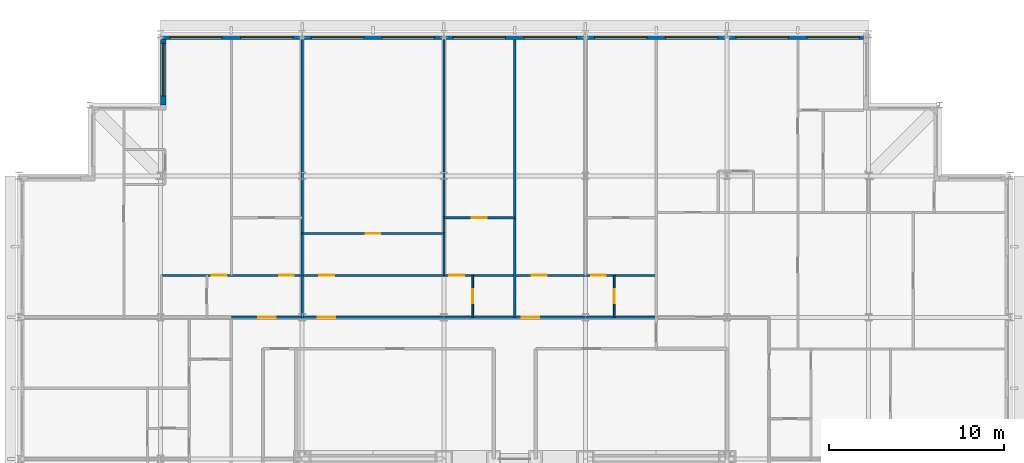
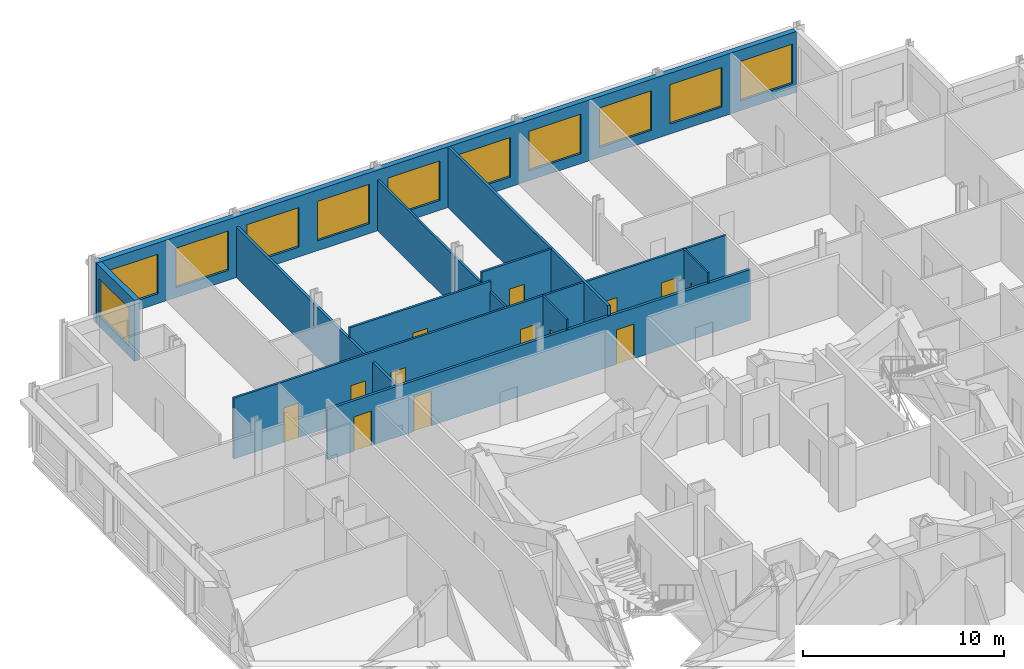
# One storey, part 12 of 15: 13 doors, 11 walls, 11 windows, 24 openings.
"""IFC4 building model written with IfcOpenShell, lengths in metres."""

from ifc_helpers import new_model, si_unit, direction, frame, frame_2d, origin, place, context, subcontext, project, spatial, rectangle, extrude, material, layer, layer_set, type_object, element, fill, save


model = new_model("IFC4")

# Units and contexts
model_context = context("Model", 3, precision=1e-05, world=origin(), true_north=direction((0.0, 1.0)))
body_context = subcontext(model_context, "Body", "Model", "MODEL_VIEW")
ifc_project = project(units=[si_unit("LENGTHUNIT", "METRE"), si_unit("AREAUNIT", "SQUARE_METRE"), si_unit("VOLUMEUNIT", "CUBIC_METRE"), si_unit("PLANEANGLEUNIT", "RADIAN"), si_unit("MASSUNIT", "GRAM", prefix="KILO")], contexts=[model_context])

# Site, building, storey
site_placement = place(None, origin())
site = spatial("IfcSite", under=ifc_project, at=site_placement, CompositionType="ELEMENT")
building_placement = place(site_placement, origin())
building = spatial("IfcBuilding", under=site, at=building_placement, Name="Kopane Lantern Tower", CompositionType="ELEMENT")
storey_placement = place(building_placement, frame((0.0, 0.0, 289.199951171875)))
storey = spatial("IfcBuildingStorey", under=building, at=storey_placement, Name="L74", CompositionType="ELEMENT", Elevation=289.199951171875)

# Wall
ifc_material_1 = material(Name="Gypsum board on steel studs", Category="steel")
ifc_layer_1 = layer(ifc_material_1, 0.1201171875)
ifc_layer_set_1 = layer_set([ifc_layer_1], Name="APARTMENT INTERNAL WALL 120")
wall_type_1 = type_object("IfcWallType", Name="APARTMENT INTERNAL WALL 120", PredefinedType="PARTITIONING", material=ifc_layer_set_1)
wall_1_placement = place(storey_placement, frame((24.300048828125, 51.0, 0.0), z_axis=(0.0, 0.0, 1.0), x_axis=(0.0, 1.0, 0.0)))
element("IfcWall", 1, at=wall_1_placement, inside=storey, type_object=wall_type_1, Name="Apartment Internal Wall 120 L74", PredefinedType="PARTITIONING", context=body_context, shape_type="SweptSolid", body=[
    extrude(rectangle(XDim=13.5, YDim=0.1201171875, at=frame_2d((6.75, 0.0))), origin(), (0.0, 0.0, 1.0), 3.077880859375),
])

# Wall, openings, doors
wall_2_placement = place(storey_placement, frame((8.14990234375, 51.0, 0.0), z_axis=(0.0, 0.0, 1.0), x_axis=(1.0, 0.0, 0.0)))
wall_2 = element("IfcWall", 2, at=wall_2_placement, inside=storey, type_object=wall_type_1, Name="Apartment Internal Wall 120 L74", PredefinedType="PARTITIONING", context=body_context, shape_type="SweptSolid", body=[
    extrude(rectangle(XDim=28.300048828125, YDim=0.1201171875, at=frame_2d((14.14990234375, 0.0))), origin(), (0.0, 0.0, 1.0), 3.68994140625),
])
opening_1_placement = place(wall_2_placement, frame((9.02490234375, 0.0, 0.0)))
opening_1 = element("IfcOpeningElement", 3, at=opening_1_placement, cuts=wall_2, Name="Opening L74-015", PredefinedType="OPENING", context=body_context, shape_type="SweptSolid", body=[
    extrude(rectangle(XDim=0.85009765625, YDim=2.10009765625, at=frame_2d((0.425048828125, 1.050048828125))), frame((0.0, 0.070068359375, 0.0), z_axis=(0.0, -1.0, 0.0), x_axis=(1.0, 0.0, 0.0)), (0.0, 0.0, 1.0), 0.14013671875),
])
opening_2_placement = place(wall_2_placement, frame((16.47509765625, 0.0, 0.0)))
opening_2 = element("IfcOpeningElement", 4, at=opening_2_placement, cuts=wall_2, Name="Opening L74-016", PredefinedType="OPENING", context=body_context, shape_type="SweptSolid", body=[
    extrude(rectangle(XDim=0.85009765625, YDim=2.10009765625, at=frame_2d((0.425048828125, 1.050048828125))), frame((0.0, 0.070068359375, 0.0), z_axis=(0.0, -1.0, 0.0), x_axis=(1.0, 0.0, 0.0)), (0.0, 0.0, 1.0), 0.14013671875),
])
opening_3_placement = place(wall_2_placement, frame((21.175048828125, 0.0, 0.0)))
opening_3 = element("IfcOpeningElement", 5, at=opening_3_placement, cuts=wall_2, Name="Opening L74-019", PredefinedType="OPENING", context=body_context, shape_type="SweptSolid", body=[
    extrude(rectangle(XDim=0.85009765625, YDim=2.10009765625, at=frame_2d((0.425048828125, 1.050048828125))), frame((0.0, 0.070068359375, 0.0), z_axis=(0.0, -1.0, 0.0), x_axis=(1.0, 0.0, 0.0)), (0.0, 0.0, 1.0), 0.14013671875),
])
opening_4_placement = place(wall_2_placement, frame((24.574951171875, 0.0, 0.0)))
opening_4 = element("IfcOpeningElement", 6, at=opening_4_placement, cuts=wall_2, Name="Opening L74-020", PredefinedType="OPENING", context=body_context, shape_type="SweptSolid", body=[
    extrude(rectangle(XDim=0.85009765625, YDim=2.10009765625, at=frame_2d((0.425048828125, 1.050048828125))), frame((0.0, 0.070068359375, 0.0), z_axis=(0.0, -1.0, 0.0), x_axis=(1.0, 0.0, 0.0)), (0.0, 0.0, 1.0), 0.14013671875),
])
opening_5_placement = place(wall_2_placement, frame((6.72509765625, 0.0, 0.0)))
opening_5 = element("IfcOpeningElement", 7, at=opening_5_placement, cuts=wall_2, Name="Opening L74-034", PredefinedType="OPENING", context=body_context, shape_type="SweptSolid", body=[
    extrude(rectangle(XDim=0.85009765625, YDim=2.10009765625, at=frame_2d((0.425048828125, 1.050048828125))), frame((0.0, 0.070068359375, 0.0), z_axis=(0.0, -1.0, 0.0), x_axis=(1.0, 0.0, 0.0)), (0.0, 0.0, 1.0), 0.14013671875),
])
opening_6_placement = place(wall_2_placement, frame((2.875, 0.0, 0.0)))
opening_6 = element("IfcOpeningElement", 8, at=opening_6_placement, cuts=wall_2, Name="Opening L74-036", PredefinedType="OPENING", context=body_context, shape_type="SweptSolid", body=[
    extrude(rectangle(XDim=0.85009765625, YDim=2.10009765625, at=frame_2d((0.425048828125, 1.050048828125))), frame((0.0, 0.070068359375, 0.0), z_axis=(0.0, -1.0, 0.0), x_axis=(1.0, 0.0, 0.0)), (0.0, 0.0, 1.0), 0.14013671875),
])
ifc_material_2 = material(Name="Timber door set", Category="wood")
door_type_1 = type_object("IfcDoorType", Name="DOOR D4 850x2100", OperationType="SINGLE_SWING_LEFT", PredefinedType="DOOR", material=ifc_material_2)
door_1_placement = place(opening_1_placement, origin())
door_1 = element("IfcDoor", 9, at=door_1_placement, inside=storey, type_object=door_type_1, Name="Door L74-015", OperationType="SINGLE_SWING_LEFT", OverallHeight=2.10009765625, OverallWidth=0.85009765625, PredefinedType="DOOR", context=body_context, shape_type="SweptSolid", body=[
    extrude(rectangle(XDim=0.85009765625, YDim=2.10009765625, at=frame_2d((0.425048828125, 1.050048828125))), frame((0.0, 0.02490234375, 0.0), z_axis=(0.0, -1.0, 0.0), x_axis=(1.0, 0.0, 0.0)), (0.0, 0.0, 1.0), 0.050048828125),
])
fill(opening_1, door_1)
door_2_placement = place(opening_2_placement, origin())
door_2 = element("IfcDoor", 10, at=door_2_placement, inside=storey, type_object=door_type_1, Name="Door L74-016", OperationType="SINGLE_SWING_LEFT", OverallHeight=2.10009765625, OverallWidth=0.85009765625, PredefinedType="DOOR", context=body_context, shape_type="SweptSolid", body=[
    extrude(rectangle(XDim=0.85009765625, YDim=2.10009765625, at=frame_2d((0.425048828125, 1.050048828125))), frame((0.0, 0.02490234375, 0.0), z_axis=(0.0, -1.0, 0.0), x_axis=(1.0, 0.0, 0.0)), (0.0, 0.0, 1.0), 0.050048828125),
])
fill(opening_2, door_2)
door_3_placement = place(opening_3_placement, origin())
door_3 = element("IfcDoor", 11, at=door_3_placement, inside=storey, type_object=door_type_1, Name="Door L74-019", OperationType="SINGLE_SWING_RIGHT", OverallHeight=2.10009765625, OverallWidth=0.85009765625, PredefinedType="DOOR", context=body_context, shape_type="SweptSolid", body=[
    extrude(rectangle(XDim=0.85009765625, YDim=2.10009765625, at=frame_2d((0.425048828125, 1.050048828125))), frame((0.0, 0.02490234375, 0.0), z_axis=(0.0, -1.0, 0.0), x_axis=(1.0, 0.0, 0.0)), (0.0, 0.0, 1.0), 0.050048828125),
])
fill(opening_3, door_3)
door_4_placement = place(opening_4_placement, origin())
door_4 = element("IfcDoor", 12, at=door_4_placement, inside=storey, type_object=door_type_1, Name="Door L74-020", OperationType="SINGLE_SWING_LEFT", OverallHeight=2.10009765625, OverallWidth=0.85009765625, PredefinedType="DOOR", context=body_context, shape_type="SweptSolid", body=[
    extrude(rectangle(XDim=0.85009765625, YDim=2.10009765625, at=frame_2d((0.425048828125, 1.050048828125))), frame((0.0, 0.02490234375, 0.0), z_axis=(0.0, -1.0, 0.0), x_axis=(1.0, 0.0, 0.0)), (0.0, 0.0, 1.0), 0.050048828125),
])
fill(opening_4, door_4)
door_5_placement = place(opening_5_placement, origin())
door_5 = element("IfcDoor", 13, at=door_5_placement, inside=storey, type_object=door_type_1, Name="Door L74-034", OperationType="SINGLE_SWING_LEFT", OverallHeight=2.10009765625, OverallWidth=0.85009765625, PredefinedType="DOOR", context=body_context, shape_type="SweptSolid", body=[
    extrude(rectangle(XDim=0.85009765625, YDim=2.10009765625, at=frame_2d((0.425048828125, 1.050048828125))), frame((0.0, 0.02490234375, 0.0), z_axis=(0.0, -1.0, 0.0), x_axis=(1.0, 0.0, 0.0)), (0.0, 0.0, 1.0), 0.050048828125),
])
fill(opening_5, door_5)
door_6_placement = place(opening_6_placement, origin())
door_6 = element("IfcDoor", 14, at=door_6_placement, inside=storey, type_object=door_type_1, Name="Door L74-036", OperationType="SINGLE_SWING_RIGHT", OverallHeight=2.10009765625, OverallWidth=0.85009765625, PredefinedType="DOOR", context=body_context, shape_type="SweptSolid", body=[
    extrude(rectangle(XDim=0.85009765625, YDim=2.10009765625, at=frame_2d((0.425048828125, 1.050048828125))), frame((0.0, 0.02490234375, 0.0), z_axis=(0.0, -1.0, 0.0), x_axis=(1.0, 0.0, 0.0)), (0.0, 0.0, 1.0), 0.050048828125),
])
fill(opening_6, door_6)

# Wall, opening, door
wall_3_placement = place(storey_placement, frame((16.199951171875, 53.39990234375, 0.0), z_axis=(0.0, 0.0, 1.0), x_axis=(1.0, 0.0, 0.0)))
wall_3 = element("IfcWall", 15, at=wall_3_placement, inside=storey, type_object=wall_type_1, Name="Apartment Internal Wall 120 L74", PredefinedType="PARTITIONING", context=body_context, shape_type="SweptSolid", body=[
    extrude(rectangle(XDim=8.10009765625, YDim=0.1201171875, at=frame_2d((4.050048828125, 0.0))), origin(), (0.0, 0.0, 1.0), 3.68994140625),
])
opening_7_placement = place(wall_3_placement, frame((3.625, 0.0, 0.0)))
opening_7 = element("IfcOpeningElement", 16, at=opening_7_placement, cuts=wall_3, Name="Opening L74-060", PredefinedType="OPENING", context=body_context, shape_type="SweptSolid", body=[
    extrude(rectangle(XDim=0.85009765625, YDim=2.10009765625, at=frame_2d((0.425048828125, 1.050048828125))), frame((0.0, 0.070068359375, 0.0), z_axis=(0.0, -1.0, 0.0), x_axis=(1.0, 0.0, 0.0)), (0.0, 0.0, 1.0), 0.14013671875),
])
door_7_placement = place(opening_7_placement, origin())
door_7 = element("IfcDoor", 17, at=door_7_placement, inside=storey, type_object=door_type_1, Name="Door L74-060", OperationType="SINGLE_SWING_RIGHT", OverallHeight=2.10009765625, OverallWidth=0.85009765625, PredefinedType="DOOR", context=body_context, shape_type="SweptSolid", body=[
    extrude(rectangle(XDim=0.85009765625, YDim=2.10009765625, at=frame_2d((0.425048828125, 1.050048828125))), frame((0.0, 0.02490234375, 0.0), z_axis=(0.0, -1.0, 0.0), x_axis=(1.0, 0.0, 0.0)), (0.0, 0.0, 1.0), 0.050048828125),
])
fill(opening_7, door_7)

wall_4_placement = place(storey_placement, frame((24.300048828125, 54.300048828125, 0.0), z_axis=(0.0, 0.0, 1.0), x_axis=(1.0, 0.0, 0.0)))
wall_4 = element("IfcWall", 18, at=wall_4_placement, inside=storey, type_object=wall_type_1, Name="Apartment Internal Wall 120 L74", PredefinedType="PARTITIONING", context=body_context, shape_type="SweptSolid", body=[
    extrude(rectangle(XDim=4.050048828125, YDim=0.1201171875, at=frame_2d((2.02490234375, 0.0))), origin(), (0.0, 0.0, 1.0), 3.68994140625),
])
opening_8_placement = place(wall_4_placement, frame((1.60009765625, 0.0, 0.0)))
opening_8 = element("IfcOpeningElement", 19, at=opening_8_placement, cuts=wall_4, Name="Opening L74-061", PredefinedType="OPENING", context=body_context, shape_type="SweptSolid", body=[
    extrude(rectangle(XDim=0.85009765625, YDim=2.10009765625, at=frame_2d((0.425048828125, 1.050048828125))), frame((0.0, 0.070068359375, 0.0), z_axis=(0.0, -1.0, 0.0), x_axis=(1.0, 0.0, 0.0)), (0.0, 0.0, 1.0), 0.14013671875),
])
door_8_placement = place(opening_8_placement, origin())
door_8 = element("IfcDoor", 20, at=door_8_placement, inside=storey, type_object=door_type_1, Name="Door L74-061", OperationType="SINGLE_SWING_RIGHT", OverallHeight=2.10009765625, OverallWidth=0.85009765625, PredefinedType="DOOR", context=body_context, shape_type="SweptSolid", body=[
    extrude(rectangle(XDim=0.85009765625, YDim=2.10009765625, at=frame_2d((0.425048828125, 1.050048828125))), frame((0.0, 0.02490234375, 0.0), z_axis=(0.0, -1.0, 0.0), x_axis=(1.0, 0.0, 0.0)), (0.0, 0.0, 1.0), 0.050048828125),
])
fill(opening_8, door_8)

ifc_material_3 = material(Name="Moisture-resistant board on steel studs", Category="steel")
ifc_layer_2 = layer(ifc_material_3, 0.10009765625)
ifc_layer_set_2 = layer_set([ifc_layer_2], Name="BATHROOM WALL 100")
wall_type_2 = type_object("IfcWallType", Name="BATHROOM WALL 100", PredefinedType="PARTITIONING", material=ifc_layer_set_2)
wall_5_placement = place(storey_placement, frame((25.949951171875, 48.60009765625, 0.0), z_axis=(0.0, 0.0, 1.0), x_axis=(0.0, 1.0, 0.0)))
wall_5 = element("IfcWall", 21, at=wall_5_placement, inside=storey, type_object=wall_type_2, Name="Bathroom Wall 100 L74", PredefinedType="PARTITIONING", context=body_context, shape_type="SweptSolid", body=[
    extrude(rectangle(XDim=2.39990234375, YDim=0.10009765625, at=frame_2d((1.199951171875, 0.0))), origin(), (0.0, 0.0, 1.0), 3.68994140625),
])
opening_9_placement = place(wall_5_placement, frame((0.800048828125, 0.0, 0.0)))
opening_9 = element("IfcOpeningElement", 22, at=opening_9_placement, cuts=wall_5, Name="Opening L74-013", PredefinedType="OPENING", context=body_context, shape_type="SweptSolid", body=[
    extrude(rectangle(XDim=0.800048828125, YDim=2.10009765625, at=frame_2d((0.39990234375, 1.050048828125))), frame((0.0, 0.06005859375, 0.0), z_axis=(0.0, -1.0, 0.0), x_axis=(1.0, 0.0, 0.0)), (0.0, 0.0, 1.0), 0.1201171875),
])
ifc_material_4 = material(Name="Timber door set", Category="wood")
door_type_2 = type_object("IfcDoorType", Name="DOOR D2 800x2100", OperationType="SINGLE_SWING_LEFT", PredefinedType="DOOR", material=ifc_material_4)
door_9_placement = place(opening_9_placement, origin())
door_9 = element("IfcDoor", 23, at=door_9_placement, inside=storey, type_object=door_type_2, Name="Door L74-013", OperationType="SINGLE_SWING_RIGHT", OverallHeight=2.10009765625, OverallWidth=0.800048828125, PredefinedType="DOOR", context=body_context, shape_type="SweptSolid", body=[
    extrude(rectangle(XDim=0.800048828125, YDim=2.10009765625, at=frame_2d((0.39990234375, 1.050048828125))), frame((0.0, 0.02490234375, 0.0), z_axis=(0.0, -1.0, 0.0), x_axis=(1.0, 0.0, 0.0)), (0.0, 0.0, 1.0), 0.050048828125),
])
fill(opening_9, door_9)

wall_6_placement = place(storey_placement, frame((34.050048828125, 48.60009765625, 0.0), z_axis=(0.0, 0.0, 1.0), x_axis=(0.0, 1.0, 0.0)))
wall_6 = element("IfcWall", 24, at=wall_6_placement, inside=storey, type_object=wall_type_2, Name="Bathroom Wall 100 L74", PredefinedType="PARTITIONING", context=body_context, shape_type="SweptSolid", body=[
    extrude(rectangle(XDim=2.39990234375, YDim=0.10009765625, at=frame_2d((1.199951171875, 0.0))), origin(), (0.0, 0.0, 1.0), 3.68994140625),
])
opening_10_placement = place(wall_6_placement, frame((0.800048828125, 0.0, 0.0)))
opening_10 = element("IfcOpeningElement", 25, at=opening_10_placement, cuts=wall_6, Name="Opening L74-017", PredefinedType="OPENING", context=body_context, shape_type="SweptSolid", body=[
    extrude(rectangle(XDim=0.800048828125, YDim=2.10009765625, at=frame_2d((0.39990234375, 1.050048828125))), frame((0.0, 0.06005859375, 0.0), z_axis=(0.0, -1.0, 0.0), x_axis=(1.0, 0.0, 0.0)), (0.0, 0.0, 1.0), 0.1201171875),
])
door_10_placement = place(opening_10_placement, origin())
door_10 = element("IfcDoor", 26, at=door_10_placement, inside=storey, type_object=door_type_2, Name="Door L74-017", OperationType="SINGLE_SWING_RIGHT", OverallHeight=2.10009765625, OverallWidth=0.800048828125, PredefinedType="DOOR", context=body_context, shape_type="SweptSolid", body=[
    extrude(rectangle(XDim=0.800048828125, YDim=2.10009765625, at=frame_2d((0.39990234375, 1.050048828125))), frame((0.0, 0.02490234375, 0.0), z_axis=(0.0, -1.0, 0.0), x_axis=(1.0, 0.0, 0.0)), (0.0, 0.0, 1.0), 0.050048828125),
])
fill(opening_10, door_10)

# Wall, openings, doors
ifc_material_5 = material(Name="Gypsum board on steel studs", Category="steel")
ifc_layer_3 = layer(ifc_material_5, 0.14990234375)
ifc_layer_set_3 = layer_set([ifc_layer_3], Name="CORRIDOR WALL 150 EI 60")
wall_type_3 = type_object("IfcWallType", Name="CORRIDOR WALL 150 EI 60", PredefinedType="PARTITIONING", material=ifc_layer_set_3)
wall_7_placement = place(storey_placement, frame((12.14990234375, 48.60009765625, 0.0), z_axis=(0.0, 0.0, 1.0), x_axis=(1.0, 0.0, 0.0)))
wall_7 = element("IfcWall", 27, at=wall_7_placement, inside=storey, type_object=wall_type_3, Name="Corridor Wall 150 Ei 60 L74", PredefinedType="PARTITIONING", context=body_context, shape_type="SweptSolid", body=[
    extrude(rectangle(XDim=24.300048828125, YDim=0.14990234375, at=frame_2d((12.14990234375, 0.0))), origin(), (0.0, 0.0, 1.0), 3.077880859375),
])
opening_11_placement = place(wall_7_placement, frame((4.949951171875, 0.0, 0.0)))
opening_11 = element("IfcOpeningElement", 28, at=opening_11_placement, cuts=wall_7, Name="Opening L74-014", PredefinedType="OPENING", context=body_context, shape_type="SweptSolid", body=[
    extrude(rectangle(XDim=1.0, YDim=2.10009765625, at=frame_2d((0.5, 1.050048828125))), frame((0.0, 0.0849609375, 0.0), z_axis=(0.0, -1.0, 0.0), x_axis=(1.0, 0.0, 0.0)), (0.0, 0.0, 1.0), 0.169921875),
])
opening_12_placement = place(wall_7_placement, frame((16.60009765625, 0.0, 0.0)))
opening_12 = element("IfcOpeningElement", 29, at=opening_12_placement, cuts=wall_7, Name="Opening L74-018", PredefinedType="OPENING", context=body_context, shape_type="SweptSolid", body=[
    extrude(rectangle(XDim=1.0, YDim=2.10009765625, at=frame_2d((0.5, 1.050048828125))), frame((0.0, 0.0849609375, 0.0), z_axis=(0.0, -1.0, 0.0), x_axis=(1.0, 0.0, 0.0)), (0.0, 0.0, 1.0), 0.169921875),
])
opening_13_placement = place(wall_7_placement, frame((1.52490234375, 0.0, 0.0)))
opening_13 = element("IfcOpeningElement", 30, at=opening_13_placement, cuts=wall_7, Name="Opening L74-033", PredefinedType="OPENING", context=body_context, shape_type="SweptSolid", body=[
    extrude(rectangle(XDim=1.0, YDim=2.10009765625, at=frame_2d((0.5, 1.050048828125))), frame((0.0, 0.0849609375, 0.0), z_axis=(0.0, -1.0, 0.0), x_axis=(1.0, 0.0, 0.0)), (0.0, 0.0, 1.0), 0.169921875),
])
ifc_material_6 = material(Name="Steel door set", Category="steel")
door_type_3 = type_object("IfcDoorType", Name="DOOR D3 1000x2100 FD30S", OperationType="SINGLE_SWING_LEFT", PredefinedType="DOOR", material=ifc_material_6)
door_11_placement = place(opening_11_placement, origin())
door_11 = element("IfcDoor", 31, at=door_11_placement, inside=storey, type_object=door_type_3, Name="Door L74-014", OperationType="SINGLE_SWING_LEFT", OverallHeight=2.10009765625, OverallWidth=1.0, PredefinedType="DOOR", context=body_context, shape_type="SweptSolid", body=[
    extrude(rectangle(XDim=1.0, YDim=2.10009765625, at=frame_2d((0.5, 1.050048828125))), frame((0.0, 0.02490234375, 0.0), z_axis=(0.0, -1.0, 0.0), x_axis=(1.0, 0.0, 0.0)), (0.0, 0.0, 1.0), 0.050048828125),
])
fill(opening_11, door_11)
door_12_placement = place(opening_12_placement, origin())
door_12 = element("IfcDoor", 32, at=door_12_placement, inside=storey, type_object=door_type_3, Name="Door L74-018", OperationType="SINGLE_SWING_LEFT", OverallHeight=2.10009765625, OverallWidth=1.0, PredefinedType="DOOR", context=body_context, shape_type="SweptSolid", body=[
    extrude(rectangle(XDim=1.0, YDim=2.10009765625, at=frame_2d((0.5, 1.050048828125))), frame((0.0, 0.02490234375, 0.0), z_axis=(0.0, -1.0, 0.0), x_axis=(1.0, 0.0, 0.0)), (0.0, 0.0, 1.0), 0.050048828125),
])
fill(opening_12, door_12)
door_13_placement = place(opening_13_placement, origin())
door_13 = element("IfcDoor", 33, at=door_13_placement, inside=storey, type_object=door_type_3, Name="Door L74-033", OperationType="SINGLE_SWING_RIGHT", OverallHeight=2.10009765625, OverallWidth=1.0, PredefinedType="DOOR", context=body_context, shape_type="SweptSolid", body=[
    extrude(rectangle(XDim=1.0, YDim=2.10009765625, at=frame_2d((0.5, 1.050048828125))), frame((0.0, 0.02490234375, 0.0), z_axis=(0.0, -1.0, 0.0), x_axis=(1.0, 0.0, 0.0)), (0.0, 0.0, 1.0), 0.050048828125),
])
fill(opening_13, door_13)

# Walls
ifc_material_7 = material(Name="Gypsum board on steel studs", Category="steel")
ifc_layer_4 = layer(ifc_material_7, 0.14990234375)
ifc_layer_set_4 = layer_set([ifc_layer_4], Name="DEMISING WALL 150 EI 60")
wall_type_4 = type_object("IfcWallType", Name="DEMISING WALL 150 EI 60", PredefinedType="PARTITIONING", material=ifc_layer_set_4)
wall_8_placement = place(storey_placement, frame((28.35009765625, 48.60009765625, 0.0), z_axis=(0.0, 0.0, 1.0), x_axis=(0.0, 1.0, 0.0)))
element("IfcWall", 34, at=wall_8_placement, inside=storey, type_object=wall_type_4, Name="Demising Wall 150 Ei 60 L74", PredefinedType="PARTITIONING", context=body_context, shape_type="SweptSolid", body=[
    extrude(rectangle(XDim=15.89990234375, YDim=0.14990234375, at=frame_2d((7.949951171875, 0.0))), origin(), (0.0, 0.0, 1.0), 3.68994140625),
])
wall_9_placement = place(storey_placement, frame((16.199951171875, 48.60009765625, 0.0), z_axis=(0.0, 0.0, 1.0), x_axis=(0.0, 1.0, 0.0)))
element("IfcWall", 35, at=wall_9_placement, inside=storey, type_object=wall_type_4, Name="Demising Wall 150 Ei 60 L74", PredefinedType="PARTITIONING", context=body_context, shape_type="SweptSolid", body=[
    extrude(rectangle(XDim=15.89990234375, YDim=0.14990234375, at=frame_2d((7.949951171875, 0.0))), origin(), (0.0, 0.0, 1.0), 3.077880859375),
])

# Wall, openings, windows
ifc_material_8 = material(Name="Terracotta rainscreen on light steel framing", Category="masonry")
ifc_layer_5 = layer(ifc_material_8, 0.300048828125)
ifc_layer_set_5 = layer_set([ifc_layer_5], Name="EXTERNAL WALL EW1 300 TERRACOTTA")
wall_type_5 = type_object("IfcWallType", Name="EXTERNAL WALL EW1 300 TERRACOTTA", PredefinedType="SOLIDWALL", material=ifc_layer_set_5)
wall_10_placement = place(storey_placement, frame((48.300048828125, 64.64990234375, 0.0), z_axis=(0.0, 0.0, 1.0), x_axis=(-1.0, 0.0, 0.0)))
wall_10 = element("IfcWall", 36, at=wall_10_placement, inside=storey, type_object=wall_type_5, Name="External wall N L74", PredefinedType="SOLIDWALL", context=body_context, shape_type="SweptSolid", body=[
    extrude(rectangle(XDim=40.199951171875, YDim=0.300048828125, at=frame_2d((20.10009765625, 0.0))), origin(), (0.0, 0.0, 1.0), 3.68994140625),
])
opening_14_placement = place(wall_10_placement, frame((0.22509765625, 0.0, 0.60009765625)))
opening_14 = element("IfcOpeningElement", 37, at=opening_14_placement, cuts=wall_10, Name="Opening WR300240", PredefinedType="OPENING", context=body_context, shape_type="SweptSolid", body=[
    extrude(rectangle(XDim=3.0, YDim=2.39990234375, at=frame_2d((1.5, 1.199951171875))), frame((0.0, 0.159912109375, 0.0), z_axis=(0.0, -1.0, 0.0), x_axis=(1.0, 0.0, 0.0)), (0.0, 0.0, 1.0), 0.320068359375),
])
opening_15_placement = place(wall_10_placement, frame((4.27490234375, 0.0, 0.60009765625)))
opening_15 = element("IfcOpeningElement", 38, at=opening_15_placement, cuts=wall_10, Name="Opening WR300240", PredefinedType="OPENING", context=body_context, shape_type="SweptSolid", body=[
    extrude(rectangle(XDim=3.0, YDim=2.39990234375, at=frame_2d((1.5, 1.199951171875))), frame((0.0, 0.159912109375, 0.0), z_axis=(0.0, -1.0, 0.0), x_axis=(1.0, 0.0, 0.0)), (0.0, 0.0, 1.0), 0.320068359375),
])
opening_16_placement = place(wall_10_placement, frame((8.324951171875, 0.0, 0.60009765625)))
opening_16 = element("IfcOpeningElement", 39, at=opening_16_placement, cuts=wall_10, Name="Opening WR300240", PredefinedType="OPENING", context=body_context, shape_type="SweptSolid", body=[
    extrude(rectangle(XDim=3.0, YDim=2.39990234375, at=frame_2d((1.5, 1.199951171875))), frame((0.0, 0.159912109375, 0.0), z_axis=(0.0, -1.0, 0.0), x_axis=(1.0, 0.0, 0.0)), (0.0, 0.0, 1.0), 0.320068359375),
])
opening_17_placement = place(wall_10_placement, frame((12.375, 0.0, 0.60009765625)))
opening_17 = element("IfcOpeningElement", 40, at=opening_17_placement, cuts=wall_10, Name="Opening WR300240", PredefinedType="OPENING", context=body_context, shape_type="SweptSolid", body=[
    extrude(rectangle(XDim=3.0, YDim=2.39990234375, at=frame_2d((1.5, 1.199951171875))), frame((0.0, 0.159912109375, 0.0), z_axis=(0.0, -1.0, 0.0), x_axis=(1.0, 0.0, 0.0)), (0.0, 0.0, 1.0), 0.320068359375),
])
opening_18_placement = place(wall_10_placement, frame((16.425048828125, 0.0, 0.60009765625)))
opening_18 = element("IfcOpeningElement", 41, at=opening_18_placement, cuts=wall_10, Name="Opening WR300240", PredefinedType="OPENING", context=body_context, shape_type="SweptSolid", body=[
    extrude(rectangle(XDim=3.0, YDim=2.39990234375, at=frame_2d((1.5, 1.199951171875))), frame((0.0, 0.159912109375, 0.0), z_axis=(0.0, -1.0, 0.0), x_axis=(1.0, 0.0, 0.0)), (0.0, 0.0, 1.0), 0.320068359375),
])
opening_19_placement = place(wall_10_placement, frame((20.47509765625, 0.0, 0.60009765625)))
opening_19 = element("IfcOpeningElement", 42, at=opening_19_placement, cuts=wall_10, Name="Opening WR300240", PredefinedType="OPENING", context=body_context, shape_type="SweptSolid", body=[
    extrude(rectangle(XDim=3.0, YDim=2.39990234375, at=frame_2d((1.5, 1.199951171875))), frame((0.0, 0.159912109375, 0.0), z_axis=(0.0, -1.0, 0.0), x_axis=(1.0, 0.0, 0.0)), (0.0, 0.0, 1.0), 0.320068359375),
])
opening_20_placement = place(wall_10_placement, frame((24.52490234375, 0.0, 0.60009765625)))
opening_20 = element("IfcOpeningElement", 43, at=opening_20_placement, cuts=wall_10, Name="Opening WR300240", PredefinedType="OPENING", context=body_context, shape_type="SweptSolid", body=[
    extrude(rectangle(XDim=3.0, YDim=2.39990234375, at=frame_2d((1.5, 1.199951171875))), frame((0.0, 0.159912109375, 0.0), z_axis=(0.0, -1.0, 0.0), x_axis=(1.0, 0.0, 0.0)), (0.0, 0.0, 1.0), 0.320068359375),
])
opening_21_placement = place(wall_10_placement, frame((28.574951171875, 0.0, 0.60009765625)))
opening_21 = element("IfcOpeningElement", 44, at=opening_21_placement, cuts=wall_10, Name="Opening WR300240", PredefinedType="OPENING", context=body_context, shape_type="SweptSolid", body=[
    extrude(rectangle(XDim=3.0, YDim=2.39990234375, at=frame_2d((1.5, 1.199951171875))), frame((0.0, 0.159912109375, 0.0), z_axis=(0.0, -1.0, 0.0), x_axis=(1.0, 0.0, 0.0)), (0.0, 0.0, 1.0), 0.320068359375),
])
opening_22_placement = place(wall_10_placement, frame((32.625, 0.0, 0.60009765625)))
opening_22 = element("IfcOpeningElement", 45, at=opening_22_placement, cuts=wall_10, Name="Opening WR300240", PredefinedType="OPENING", context=body_context, shape_type="SweptSolid", body=[
    extrude(rectangle(XDim=3.0, YDim=2.39990234375, at=frame_2d((1.5, 1.199951171875))), frame((0.0, 0.159912109375, 0.0), z_axis=(0.0, -1.0, 0.0), x_axis=(1.0, 0.0, 0.0)), (0.0, 0.0, 1.0), 0.320068359375),
])
opening_23_placement = place(wall_10_placement, frame((36.675048828125, 0.0, 0.60009765625)))
opening_23 = element("IfcOpeningElement", 46, at=opening_23_placement, cuts=wall_10, Name="Opening WR300240", PredefinedType="OPENING", context=body_context, shape_type="SweptSolid", body=[
    extrude(rectangle(XDim=3.0, YDim=2.39990234375, at=frame_2d((1.5, 1.199951171875))), frame((0.0, 0.159912109375, 0.0), z_axis=(0.0, -1.0, 0.0), x_axis=(1.0, 0.0, 0.0)), (0.0, 0.0, 1.0), 0.320068359375),
])
ifc_material_9 = material(Name="Aluminium and clear glass", Category="aluminium")
window_type_1 = type_object("IfcWindowType", Name="RIBBON WINDOW WR300240 3000x2400", PartitioningType="SINGLE_PANEL", PredefinedType="WINDOW", material=ifc_material_9)
window_1_placement = place(opening_14_placement, origin())
window_1 = element("IfcWindow", 47, at=window_1_placement, inside=storey, type_object=window_type_1, Name="Window N L74", OverallHeight=2.39990234375, OverallWidth=3.0, PartitioningType="SINGLE_PANEL", PredefinedType="WINDOW", context=body_context, shape_type="SweptSolid", body=[
    extrude(rectangle(XDim=3.0, YDim=2.39990234375, at=frame_2d((1.5, 1.199951171875))), frame((0.0, 0.030029296875, 0.0), z_axis=(0.0, -1.0, 0.0), x_axis=(1.0, 0.0, 0.0)), (0.0, 0.0, 1.0), 0.06005859375),
])
fill(opening_14, window_1)
window_2_placement = place(opening_15_placement, origin())
window_2 = element("IfcWindow", 48, at=window_2_placement, inside=storey, type_object=window_type_1, Name="Window N L74", OverallHeight=2.39990234375, OverallWidth=3.0, PartitioningType="SINGLE_PANEL", PredefinedType="WINDOW", context=body_context, shape_type="SweptSolid", body=[
    extrude(rectangle(XDim=3.0, YDim=2.39990234375, at=frame_2d((1.5, 1.199951171875))), frame((0.0, 0.030029296875, 0.0), z_axis=(0.0, -1.0, 0.0), x_axis=(1.0, 0.0, 0.0)), (0.0, 0.0, 1.0), 0.06005859375),
])
fill(opening_15, window_2)
window_3_placement = place(opening_16_placement, origin())
window_3 = element("IfcWindow", 49, at=window_3_placement, inside=storey, type_object=window_type_1, Name="Window N L74", OverallHeight=2.39990234375, OverallWidth=3.0, PartitioningType="SINGLE_PANEL", PredefinedType="WINDOW", context=body_context, shape_type="SweptSolid", body=[
    extrude(rectangle(XDim=3.0, YDim=2.39990234375, at=frame_2d((1.5, 1.199951171875))), frame((0.0, 0.030029296875, 0.0), z_axis=(0.0, -1.0, 0.0), x_axis=(1.0, 0.0, 0.0)), (0.0, 0.0, 1.0), 0.06005859375),
])
fill(opening_16, window_3)
window_4_placement = place(opening_17_placement, origin())
window_4 = element("IfcWindow", 50, at=window_4_placement, inside=storey, type_object=window_type_1, Name="Window N L74", OverallHeight=2.39990234375, OverallWidth=3.0, PartitioningType="SINGLE_PANEL", PredefinedType="WINDOW", context=body_context, shape_type="SweptSolid", body=[
    extrude(rectangle(XDim=3.0, YDim=2.39990234375, at=frame_2d((1.5, 1.199951171875))), frame((0.0, 0.030029296875, 0.0), z_axis=(0.0, -1.0, 0.0), x_axis=(1.0, 0.0, 0.0)), (0.0, 0.0, 1.0), 0.06005859375),
])
fill(opening_17, window_4)
window_5_placement = place(opening_18_placement, origin())
window_5 = element("IfcWindow", 51, at=window_5_placement, inside=storey, type_object=window_type_1, Name="Window N L74", OverallHeight=2.39990234375, OverallWidth=3.0, PartitioningType="SINGLE_PANEL", PredefinedType="WINDOW", context=body_context, shape_type="SweptSolid", body=[
    extrude(rectangle(XDim=3.0, YDim=2.39990234375, at=frame_2d((1.5, 1.199951171875))), frame((0.0, 0.030029296875, 0.0), z_axis=(0.0, -1.0, 0.0), x_axis=(1.0, 0.0, 0.0)), (0.0, 0.0, 1.0), 0.06005859375),
])
fill(opening_18, window_5)
window_6_placement = place(opening_19_placement, origin())
window_6 = element("IfcWindow", 52, at=window_6_placement, inside=storey, type_object=window_type_1, Name="Window N L74", OverallHeight=2.39990234375, OverallWidth=3.0, PartitioningType="SINGLE_PANEL", PredefinedType="WINDOW", context=body_context, shape_type="SweptSolid", body=[
    extrude(rectangle(XDim=3.0, YDim=2.39990234375, at=frame_2d((1.5, 1.199951171875))), frame((0.0, 0.030029296875, 0.0), z_axis=(0.0, -1.0, 0.0), x_axis=(1.0, 0.0, 0.0)), (0.0, 0.0, 1.0), 0.06005859375),
])
fill(opening_19, window_6)
window_7_placement = place(opening_20_placement, origin())
window_7 = element("IfcWindow", 53, at=window_7_placement, inside=storey, type_object=window_type_1, Name="Window N L74", OverallHeight=2.39990234375, OverallWidth=3.0, PartitioningType="SINGLE_PANEL", PredefinedType="WINDOW", context=body_context, shape_type="SweptSolid", body=[
    extrude(rectangle(XDim=3.0, YDim=2.39990234375, at=frame_2d((1.5, 1.199951171875))), frame((0.0, 0.030029296875, 0.0), z_axis=(0.0, -1.0, 0.0), x_axis=(1.0, 0.0, 0.0)), (0.0, 0.0, 1.0), 0.06005859375),
])
fill(opening_20, window_7)
window_8_placement = place(opening_21_placement, origin())
window_8 = element("IfcWindow", 54, at=window_8_placement, inside=storey, type_object=window_type_1, Name="Window N L74", OverallHeight=2.39990234375, OverallWidth=3.0, PartitioningType="SINGLE_PANEL", PredefinedType="WINDOW", context=body_context, shape_type="SweptSolid", body=[
    extrude(rectangle(XDim=3.0, YDim=2.39990234375, at=frame_2d((1.5, 1.199951171875))), frame((0.0, 0.030029296875, 0.0), z_axis=(0.0, -1.0, 0.0), x_axis=(1.0, 0.0, 0.0)), (0.0, 0.0, 1.0), 0.06005859375),
])
fill(opening_21, window_8)
window_9_placement = place(opening_22_placement, origin())
window_9 = element("IfcWindow", 55, at=window_9_placement, inside=storey, type_object=window_type_1, Name="Window N L74", OverallHeight=2.39990234375, OverallWidth=3.0, PartitioningType="SINGLE_PANEL", PredefinedType="WINDOW", context=body_context, shape_type="SweptSolid", body=[
    extrude(rectangle(XDim=3.0, YDim=2.39990234375, at=frame_2d((1.5, 1.199951171875))), frame((0.0, 0.030029296875, 0.0), z_axis=(0.0, -1.0, 0.0), x_axis=(1.0, 0.0, 0.0)), (0.0, 0.0, 1.0), 0.06005859375),
])
fill(opening_22, window_9)
window_10_placement = place(opening_23_placement, origin())
window_10 = element("IfcWindow", 56, at=window_10_placement, inside=storey, type_object=window_type_1, Name="Window N L74", OverallHeight=2.39990234375, OverallWidth=3.0, PartitioningType="SINGLE_PANEL", PredefinedType="WINDOW", context=body_context, shape_type="SweptSolid", body=[
    extrude(rectangle(XDim=3.0, YDim=2.39990234375, at=frame_2d((1.5, 1.199951171875))), frame((0.0, 0.030029296875, 0.0), z_axis=(0.0, -1.0, 0.0), x_axis=(1.0, 0.0, 0.0)), (0.0, 0.0, 1.0), 0.06005859375),
])
fill(opening_23, window_10)

# Wall, opening, window
wall_11_placement = place(storey_placement, frame((8.25, 64.5, 0.0), z_axis=(0.0, 0.0, 1.0), x_axis=(0.0, -1.0, 0.0)))
wall_11 = element("IfcWall", 57, at=wall_11_placement, inside=storey, type_object=wall_type_5, Name="External wall W L74", PredefinedType="SOLIDWALL", context=body_context, shape_type="SweptSolid", body=[
    extrude(rectangle(XDim=3.75, YDim=0.300048828125, at=frame_2d((1.875, 0.0))), origin(), (0.0, 0.0, 1.0), 3.68994140625),
])
opening_24_placement = place(wall_11_placement, frame((0.22509765625, 0.0, 0.60009765625)))
opening_24 = element("IfcOpeningElement", 58, at=opening_24_placement, cuts=wall_11, Name="Opening WR300230", PredefinedType="OPENING", context=body_context, shape_type="SweptSolid", body=[
    extrude(rectangle(XDim=3.0, YDim=2.300048828125, at=frame_2d((1.5, 1.14990234375))), frame((0.0, 0.159912109375, 0.0), z_axis=(0.0, -1.0, 0.0), x_axis=(1.0, 0.0, 0.0)), (0.0, 0.0, 1.0), 0.320068359375),
])
ifc_material_10 = material(Name="Aluminium and clear glass", Category="aluminium")
window_type_2 = type_object("IfcWindowType", Name="RIBBON WINDOW WR300230 3000x2300", PartitioningType="SINGLE_PANEL", PredefinedType="WINDOW", material=ifc_material_10)
window_11_placement = place(opening_24_placement, origin())
window_11 = element("IfcWindow", 59, at=window_11_placement, inside=storey, type_object=window_type_2, Name="Window W L74", OverallHeight=2.300048828125, OverallWidth=3.0, PartitioningType="SINGLE_PANEL", PredefinedType="WINDOW", context=body_context, shape_type="SweptSolid", body=[
    extrude(rectangle(XDim=3.0, YDim=2.300048828125, at=frame_2d((1.5, 1.14990234375))), frame((0.0, 0.030029296875, 0.0), z_axis=(0.0, -1.0, 0.0), x_axis=(1.0, 0.0, 0.0)), (0.0, 0.0, 1.0), 0.06005859375),
])
fill(opening_24, window_11)

save(model, "model.ifc")
